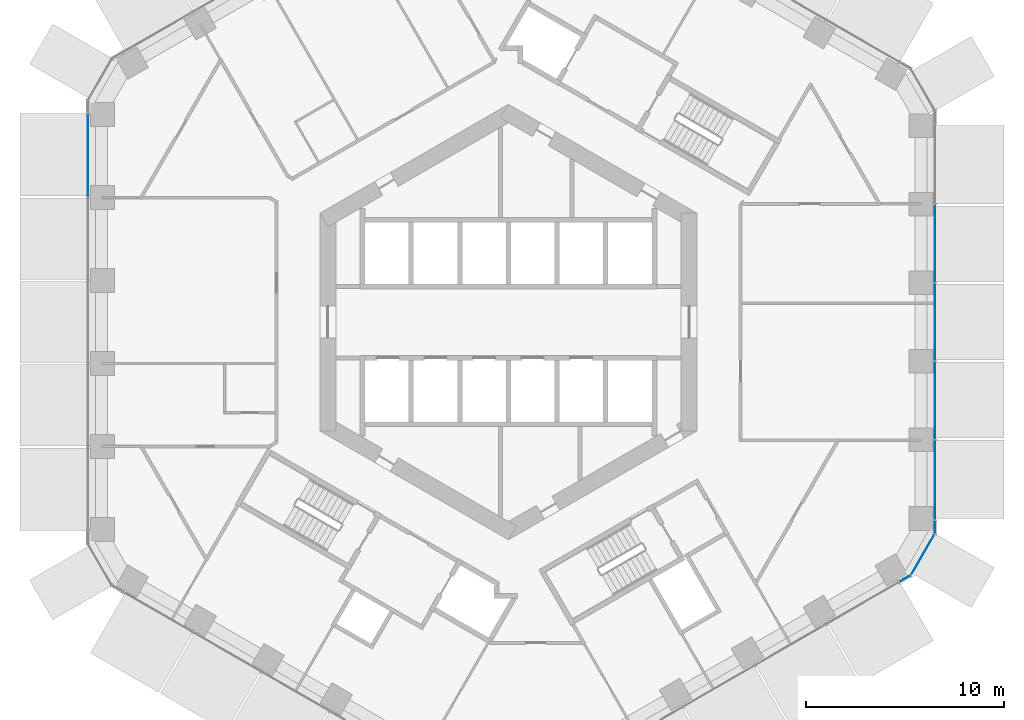
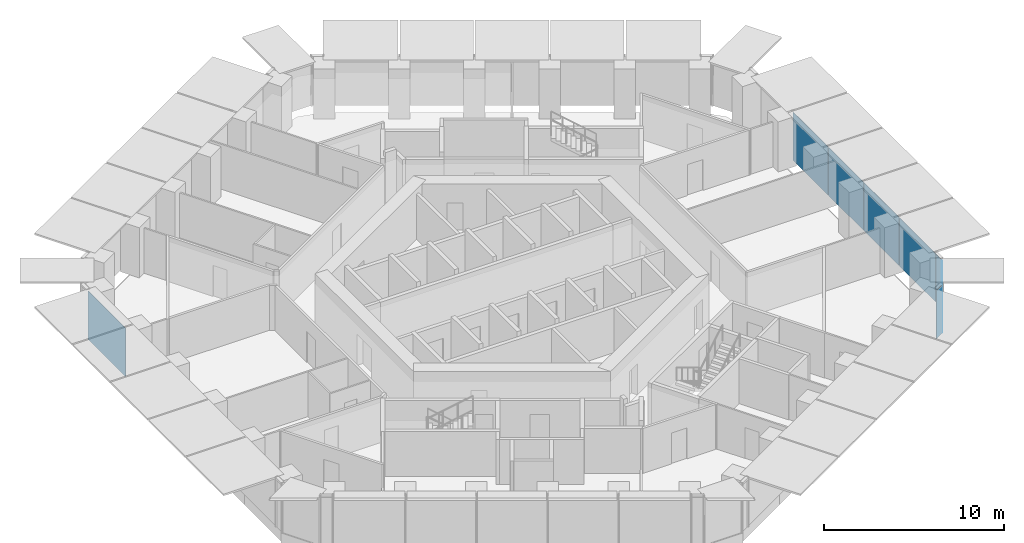
# One storey, part 10 of 19: 8 plates, 3 elements without a shape of their own.
"""IFC4 building model written with IfcOpenShell, lengths in metres."""

from ifc_helpers import new_model, si_unit, direction, frame, origin, origin_2d, place, context, subcontext, project, spatial, rectangle, extrude, material, layer, layer_set, type_object, element, aggregate, save


model = new_model("IFC4")

# Units and contexts
model_context = context("Model", 3, precision=1e-05, world=origin(), true_north=direction((0.0, 1.0)))
body_context = subcontext(model_context, "Body", "Model", "MODEL_VIEW")
ifc_project = project(units=[si_unit("LENGTHUNIT", "METRE"), si_unit("AREAUNIT", "SQUARE_METRE"), si_unit("VOLUMEUNIT", "CUBIC_METRE"), si_unit("PLANEANGLEUNIT", "RADIAN"), si_unit("MASSUNIT", "GRAM", prefix="KILO")], contexts=[model_context])

# Site, building, storey
site_placement = place(None, origin())
site = spatial("IfcSite", under=ifc_project, at=site_placement, CompositionType="ELEMENT")
building_placement = place(site_placement, origin())
building = spatial("IfcBuilding", under=site, at=building_placement, Name="Ayvan Gate Tower", CompositionType="ELEMENT")
storey_placement = place(building_placement, frame((0.0, 0.0, 42.5)))
storey = spatial("IfcBuildingStorey", under=building, at=storey_placement, Name="L10", CompositionType="ELEMENT", Elevation=42.5)

# Curtain wall, plate
ifc_material_1 = material(Name="Bronze anodised aluminium", Category="aluminium")
ifc_layer_1 = layer(ifc_material_1, 0.199951171875)
ifc_layer_set_1 = layer_set([ifc_layer_1], Name="Bronze anodised aluminium")
curtain_wall_type_1 = type_object("IfcCurtainWallType", Name="Stick curtain wall CW-1", PredefinedType="NOTDEFINED", material=ifc_layer_set_1)
curtain_wall_1_placement = place(storey_placement, origin())
curtain_wall_1 = element("IfcCurtainWall", 1, at=curtain_wall_1_placement, inside=storey, type_object=curtain_wall_type_1, Name="Stick curtain wall CW-1 L10", PredefinedType="NOTDEFINED")
ifc_material_2 = material(Name="Clear low-iron laminated glass", Category="glass")
ifc_layer_2 = layer(ifc_material_2, 0.028076171875)
ifc_layer_set_2 = layer_set([ifc_layer_2], Name="Clear low-iron laminated glass")
plate_type_1 = type_object("IfcPlateType", Name="Stick curtain wall CW-1 glass panel", PredefinedType="CURTAIN_PANEL", material=ifc_layer_set_2)
plate_1_placement = place(storey_placement, frame((-21.18798828125, 8.40234375, 0.0), z_axis=(0.0, 0.0, 1.0), x_axis=(0.0, -1.0, 0.0)))
plate_1 = element("IfcPlate", 2, at=plate_1_placement, type_object=plate_type_1, Name="CW-1 glass panel 1", PredefinedType="CURTAIN_PANEL", context=body_context, shape_type="SweptSolid", body=[
    extrude(rectangle(XDim=4.197998046875, YDim=0.028076171875, at=origin_2d()), origin(), (0.0, 0.0, 1.0), 3.280029296875),
])
aggregate(curtain_wall_1, [plate_1])

# Curtain wall, plates
curtain_wall_2_placement = place(storey_placement, origin())
curtain_wall_2 = element("IfcCurtainWall", 3, at=curtain_wall_2_placement, inside=storey, type_object=curtain_wall_type_1, Name="Stick curtain wall CW-1 L10", PredefinedType="NOTDEFINED")
plate_2_placement = place(storey_placement, frame((21.484619140625, -7.97607421875, 0.0), z_axis=(0.0, 0.0, 1.0), x_axis=(0.0, 1.0, 0.0)))
plate_2 = element("IfcPlate", 4, at=plate_2_placement, type_object=plate_type_1, Name="CW-1 glass panel 1", PredefinedType="CURTAIN_PANEL", context=body_context, shape_type="SweptSolid", body=[
    extrude(rectangle(XDim=4.02294921875, YDim=0.028076171875, at=origin_2d()), origin(), (0.0, 0.0, 1.0), 3.280029296875),
])
plate_3_placement = place(storey_placement, frame((21.484619140625, -3.95654296875, 0.0), z_axis=(0.0, 0.0, 1.0), x_axis=(0.0, 1.0, 0.0)))
plate_3 = element("IfcPlate", 5, at=plate_3_placement, type_object=plate_type_1, Name="CW-1 glass panel 2", PredefinedType="CURTAIN_PANEL", context=body_context, shape_type="SweptSolid", body=[
    extrude(rectangle(XDim=3.89599609375, YDim=0.028076171875, at=origin_2d()), origin(), (0.0, 0.0, 1.0), 3.280029296875),
])
plate_4_placement = place(storey_placement, frame((21.484619140625, 0.0, 0.0), z_axis=(0.0, 0.0, 1.0), x_axis=(0.0, 1.0, 0.0)))
plate_4 = element("IfcPlate", 6, at=plate_4_placement, type_object=plate_type_1, Name="CW-1 glass panel 3", PredefinedType="CURTAIN_PANEL", context=body_context, shape_type="SweptSolid", body=[
    extrude(rectangle(XDim=3.89697265625, YDim=0.028076171875, at=origin_2d()), origin(), (0.0, 0.0, 1.0), 3.280029296875),
])
plate_5_placement = place(storey_placement, frame((21.484619140625, 3.95654296875, 0.0), z_axis=(0.0, 0.0, 1.0), x_axis=(0.0, 1.0, 0.0)))
plate_5 = element("IfcPlate", 7, at=plate_5_placement, type_object=plate_type_1, Name="CW-1 glass panel 4", PredefinedType="CURTAIN_PANEL", context=body_context, shape_type="SweptSolid", body=[
    extrude(rectangle(XDim=3.89599609375, YDim=0.028076171875, at=origin_2d()), origin(), (0.0, 0.0, 1.0), 3.280029296875),
])
aggregate(curtain_wall_2, [plate_2, plate_3, plate_4, plate_5])

ifc_layer_3 = layer(ifc_material_1, 0.199951171875)
ifc_layer_set_3 = layer_set([ifc_layer_3], Name="Bronze anodised aluminium")
curtain_wall_type_2 = type_object("IfcCurtainWallType", Name="Stick curtain wall CW-6", PredefinedType="NOTDEFINED", material=ifc_layer_set_3)
curtain_wall_3_placement = place(storey_placement, origin())
curtain_wall_3 = element("IfcCurtainWall", 8, at=curtain_wall_3_placement, inside=storey, type_object=curtain_wall_type_2, Name="Stick curtain wall CW-6 L10", PredefinedType="NOTDEFINED")
ifc_layer_4 = layer(ifc_material_2, 0.028076171875)
ifc_layer_set_4 = layer_set([ifc_layer_4], Name="Clear low-iron laminated glass")
plate_type_2 = type_object("IfcPlateType", Name="Stick curtain wall CW-6 glass panel", PredefinedType="CURTAIN_PANEL", material=ifc_layer_set_4)
plate_6_placement = place(storey_placement, frame((19.985107421875, -12.92724609375, 0.0), z_axis=(0.0, 0.0, 1.0), x_axis=(0.866025403784, 0.5, 0.0)))
plate_6 = element("IfcPlate", 9, at=plate_6_placement, type_object=plate_type_2, Name="CW-6 glass panel 1", PredefinedType="CURTAIN_PANEL", context=body_context, shape_type="SweptSolid", body=[
    extrude(rectangle(XDim=0.625, YDim=0.028076171875, at=origin_2d()), origin(), (0.0, 0.0, 1.0), 3.280029296875),
])
plate_7_placement = place(storey_placement, frame((20.880859375, -11.712890625, 0.0), z_axis=(0.0, 0.0, 1.0), x_axis=(0.5, 0.866025403784, 0.0)))
plate_7 = element("IfcPlate", 10, at=plate_7_placement, type_object=plate_type_2, Name="CW-6 glass panel 2", PredefinedType="CURTAIN_PANEL", context=body_context, shape_type="SweptSolid", body=[
    extrude(rectangle(XDim=2.364501953125, YDim=0.028076171875, at=origin_2d()), origin(), (0.0, 0.0, 1.0), 3.280029296875),
])
plate_8_placement = place(storey_placement, frame((21.484619140625, -10.330078125, 0.0), z_axis=(0.0, 0.0, 1.0), x_axis=(0.0, 1.0, 0.0)))
plate_8 = element("IfcPlate", 11, at=plate_8_placement, type_object=plate_type_2, Name="CW-6 glass panel 3", PredefinedType="CURTAIN_PANEL", context=body_context, shape_type="SweptSolid", body=[
    extrude(rectangle(XDim=0.625, YDim=0.028076171875, at=origin_2d()), origin(), (0.0, 0.0, 1.0), 3.280029296875),
])
aggregate(curtain_wall_3, [plate_6, plate_7, plate_8])

save(model, "model.ifc")
